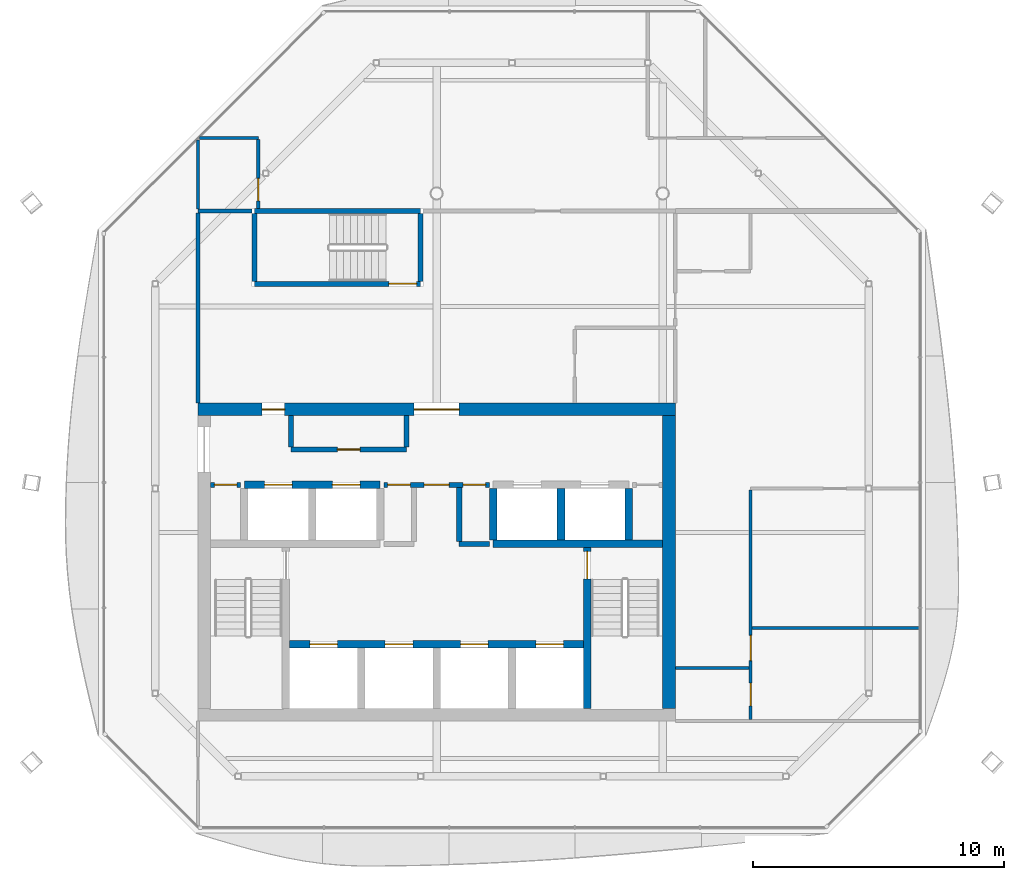
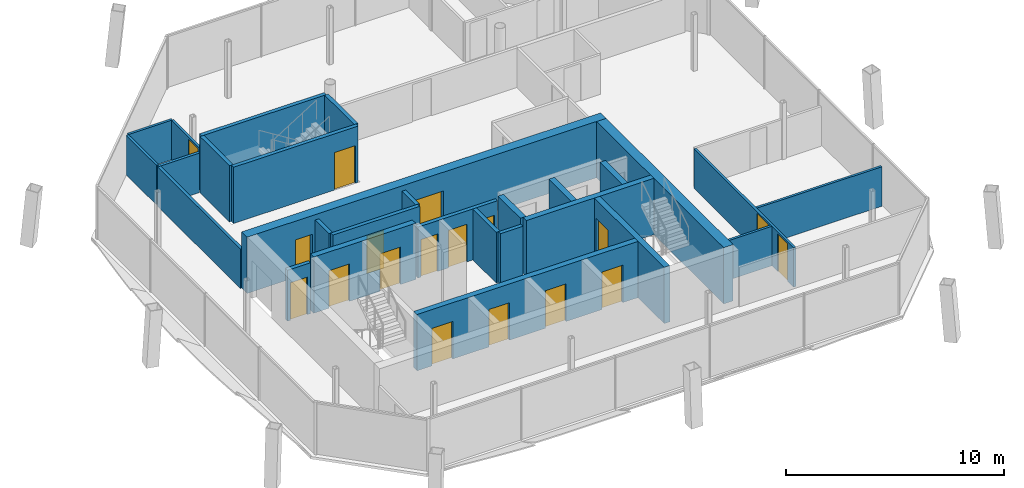
# One storey, part 10 of 14: 28 walls, 18 doors, 18 openings.
"""IFC4 building model written with IfcOpenShell, lengths in metres."""

from ifc_helpers import new_model, si_unit, direction, frame, frame_2d, origin, place, context, subcontext, project, spatial, rectangle, extrude, material, layer, layer_set, type_object, element, fill, save


model = new_model("IFC4")

# Units and contexts
model_context = context("Model", 3, precision=1e-05, world=origin(), true_north=direction((0.0, 1.0)))
body_context = subcontext(model_context, "Body", "Model", "MODEL_VIEW")
ifc_project = project(units=[si_unit("LENGTHUNIT", "METRE"), si_unit("AREAUNIT", "SQUARE_METRE"), si_unit("VOLUMEUNIT", "CUBIC_METRE"), si_unit("PLANEANGLEUNIT", "RADIAN"), si_unit("MASSUNIT", "GRAM", prefix="KILO")], contexts=[model_context])

# Site, building, storey
site_placement = place(None, origin())
site = spatial("IfcSite", under=ifc_project, at=site_placement, CompositionType="ELEMENT")
building_placement = place(site_placement, origin())
building = spatial("IfcBuilding", under=site, at=building_placement, Name="Tskaro Facet Tower", CompositionType="ELEMENT")
storey_placement = place(building_placement, frame((0.0, 0.0, 272.10009765625)))
storey = spatial("IfcBuildingStorey", under=building, at=storey_placement, Name="L72", CompositionType="ELEMENT", Elevation=272.10009765625)

# Wall, openings, doors
ifc_material_1 = material(Name="Concrete C60/75", Category="concrete")
ifc_layer_1 = layer(ifc_material_1, 0.300048828125, Name="Concrete C60/75")
ifc_layer_set_1 = layer_set([ifc_layer_1], Name="Concrete C60/75")
wall_type_1 = type_object("IfcWallType", Name="CORE-SHAFT", PredefinedType="SHEAR", material=ifc_layer_set_1)
wall_1_placement = place(storey_placement, frame((-5.85009765625, -8.949951171875, 0.0), z_axis=(0.0, 0.0, 1.0), x_axis=(1.0, 0.0, 0.0)))
wall_1 = element("IfcWall", 1, at=wall_1_placement, inside=storey, type_object=wall_type_1, Name="Shaft wall W003", PredefinedType="SHEAR", context=body_context, shape_type="SweptSolid", body=[
    extrude(rectangle(XDim=11.7001953125, YDim=0.300048828125, at=frame_2d((5.85009765625, 0.0))), origin(), (0.0, 0.0, 1.0), 3.14990234375),
])
opening_1_placement = place(wall_1_placement, frame((0.800048828125, 0.0, 0.0)))
opening_1 = element("IfcOpeningElement", 2, at=opening_1_placement, cuts=wall_1, Name="Opening LD-FF1", PredefinedType="OPENING", context=body_context, shape_type="SweptSolid", body=[
    extrude(rectangle(XDim=1.10009765625, YDim=2.10009765625, at=frame_2d((0.550048828125, 1.050048828125))), frame((0.0, 0.159912109375, 0.0), z_axis=(0.0, -1.0, 0.0), x_axis=(1.0, 0.0, 0.0)), (0.0, 0.0, 1.0), 0.320068359375),
])
opening_2_placement = place(wall_1_placement, frame((3.800048828125, 0.0, 0.0)))
opening_2 = element("IfcOpeningElement", 3, at=opening_2_placement, cuts=wall_1, Name="Opening LD-FF2", PredefinedType="OPENING", context=body_context, shape_type="SweptSolid", body=[
    extrude(rectangle(XDim=1.10009765625, YDim=2.10009765625, at=frame_2d((0.550048828125, 1.050048828125))), frame((0.0, 0.159912109375, 0.0), z_axis=(0.0, -1.0, 0.0), x_axis=(1.0, 0.0, 0.0)), (0.0, 0.0, 1.0), 0.320068359375),
])
opening_3_placement = place(wall_1_placement, frame((6.800048828125, 0.0, 0.0)))
opening_3 = element("IfcOpeningElement", 4, at=opening_3_placement, cuts=wall_1, Name="Opening LD-SV1", PredefinedType="OPENING", context=body_context, shape_type="SweptSolid", body=[
    extrude(rectangle(XDim=1.10009765625, YDim=2.10009765625, at=frame_2d((0.550048828125, 1.050048828125))), frame((0.0, 0.159912109375, 0.0), z_axis=(0.0, -1.0, 0.0), x_axis=(1.0, 0.0, 0.0)), (0.0, 0.0, 1.0), 0.320068359375),
])
opening_4_placement = place(wall_1_placement, frame((9.800048828125, 0.0, 0.0)))
opening_4 = element("IfcOpeningElement", 5, at=opening_4_placement, cuts=wall_1, Name="Opening LD-SV2", PredefinedType="OPENING", context=body_context, shape_type="SweptSolid", body=[
    extrude(rectangle(XDim=1.10009765625, YDim=2.10009765625, at=frame_2d((0.550048828125, 1.050048828125))), frame((0.0, 0.159912109375, 0.0), z_axis=(0.0, -1.0, 0.0), x_axis=(1.0, 0.0, 0.0)), (0.0, 0.0, 1.0), 0.320068359375),
])
ifc_material_2 = material(Name="Stainless steel", Category="steel")
door_type_1 = type_object("IfcDoorType", Name="D-LANDING", OperationType="NOTDEFINED", PredefinedType="DOOR", material=ifc_material_2)
door_1_placement = place(opening_1_placement, origin())
door_1 = element("IfcDoor", 6, at=door_1_placement, inside=storey, type_object=door_type_1, Name="Landing door FF1", OperationType="DOUBLE_DOOR_SLIDING", OverallHeight=2.10009765625, OverallWidth=1.10009765625, PredefinedType="DOOR", context=body_context, shape_type="SweptSolid", body=[
    extrude(rectangle(XDim=1.10009765625, YDim=2.10009765625, at=frame_2d((0.550048828125, 1.050048828125))), frame((0.0, 0.02490234375, 0.0), z_axis=(0.0, -1.0, 0.0), x_axis=(1.0, 0.0, 0.0)), (0.0, 0.0, 1.0), 0.050048828125),
])
fill(opening_1, door_1)
door_2_placement = place(opening_2_placement, origin())
door_2 = element("IfcDoor", 7, at=door_2_placement, inside=storey, type_object=door_type_1, Name="Landing door FF2", OperationType="DOUBLE_DOOR_SLIDING", OverallHeight=2.10009765625, OverallWidth=1.10009765625, PredefinedType="DOOR", context=body_context, shape_type="SweptSolid", body=[
    extrude(rectangle(XDim=1.10009765625, YDim=2.10009765625, at=frame_2d((0.550048828125, 1.050048828125))), frame((0.0, 0.02490234375, 0.0), z_axis=(0.0, -1.0, 0.0), x_axis=(1.0, 0.0, 0.0)), (0.0, 0.0, 1.0), 0.050048828125),
])
fill(opening_2, door_2)
door_3_placement = place(opening_3_placement, origin())
door_3 = element("IfcDoor", 8, at=door_3_placement, inside=storey, type_object=door_type_1, Name="Landing door SV1", OperationType="DOUBLE_DOOR_SLIDING", OverallHeight=2.10009765625, OverallWidth=1.10009765625, PredefinedType="DOOR", context=body_context, shape_type="SweptSolid", body=[
    extrude(rectangle(XDim=1.10009765625, YDim=2.10009765625, at=frame_2d((0.550048828125, 1.050048828125))), frame((0.0, 0.02490234375, 0.0), z_axis=(0.0, -1.0, 0.0), x_axis=(1.0, 0.0, 0.0)), (0.0, 0.0, 1.0), 0.050048828125),
])
fill(opening_3, door_3)
door_4_placement = place(opening_4_placement, origin())
door_4 = element("IfcDoor", 9, at=door_4_placement, inside=storey, type_object=door_type_1, Name="Landing door SV2", OperationType="DOUBLE_DOOR_SLIDING", OverallHeight=2.10009765625, OverallWidth=1.10009765625, PredefinedType="DOOR", context=body_context, shape_type="SweptSolid", body=[
    extrude(rectangle(XDim=1.10009765625, YDim=2.10009765625, at=frame_2d((0.550048828125, 1.050048828125))), frame((0.0, 0.02490234375, 0.0), z_axis=(0.0, -1.0, 0.0), x_axis=(1.0, 0.0, 0.0)), (0.0, 0.0, 1.0), 0.050048828125),
])
fill(opening_4, door_4)

# Wall
wall_2_placement = place(storey_placement, frame((2.25, -4.949951171875, 0.0), z_axis=(0.0, 0.0, 1.0), x_axis=(1.0, 0.0, 0.0)))
element("IfcWall", 10, at=wall_2_placement, inside=storey, type_object=wall_type_1, Name="Shaft wall W008", PredefinedType="SHEAR", context=body_context, shape_type="SweptSolid", body=[
    extrude(rectangle(XDim=6.75, YDim=0.300048828125, at=frame_2d((3.375, 0.0))), origin(), (0.0, 0.0, 1.0), 3.14990234375),
])

# Wall, openings, doors
wall_3_placement = place(storey_placement, frame((-7.64990234375, -2.60009765625, 0.0), z_axis=(0.0, 0.0, 1.0), x_axis=(1.0, 0.0, 0.0)))
wall_3 = element("IfcWall", 11, at=wall_3_placement, inside=storey, type_object=wall_type_1, Name="Shaft wall W012", PredefinedType="SHEAR", context=body_context, shape_type="SweptSolid", body=[
    extrude(rectangle(XDim=5.39990234375, YDim=0.300048828125, at=frame_2d((2.699951171875, 0.0))), origin(), (0.0, 0.0, 1.0), 3.14990234375),
])
opening_5_placement = place(wall_3_placement, frame((0.800048828125, 0.0, 0.0)))
opening_5 = element("IfcOpeningElement", 12, at=opening_5_placement, cuts=wall_3, Name="Opening LD-HB1", PredefinedType="OPENING", context=body_context, shape_type="SweptSolid", body=[
    extrude(rectangle(XDim=1.10009765625, YDim=2.10009765625, at=frame_2d((0.550048828125, 1.050048828125))), frame((0.0, 0.159912109375, 0.0), z_axis=(0.0, -1.0, 0.0), x_axis=(1.0, 0.0, 0.0)), (0.0, 0.0, 1.0), 0.320068359375),
])
opening_6_placement = place(wall_3_placement, frame((3.5, 0.0, 0.0)))
opening_6 = element("IfcOpeningElement", 13, at=opening_6_placement, cuts=wall_3, Name="Opening LD-HB2", PredefinedType="OPENING", context=body_context, shape_type="SweptSolid", body=[
    extrude(rectangle(XDim=1.10009765625, YDim=2.10009765625, at=frame_2d((0.550048828125, 1.050048828125))), frame((0.0, 0.159912109375, 0.0), z_axis=(0.0, -1.0, 0.0), x_axis=(1.0, 0.0, 0.0)), (0.0, 0.0, 1.0), 0.320068359375),
])
door_5_placement = place(opening_5_placement, origin())
door_5 = element("IfcDoor", 14, at=door_5_placement, inside=storey, type_object=door_type_1, Name="Landing door HB1", OperationType="DOUBLE_DOOR_SLIDING", OverallHeight=2.10009765625, OverallWidth=1.10009765625, PredefinedType="DOOR", context=body_context, shape_type="SweptSolid", body=[
    extrude(rectangle(XDim=1.10009765625, YDim=2.10009765625, at=frame_2d((0.550048828125, 1.050048828125))), frame((0.0, 0.02490234375, 0.0), z_axis=(0.0, -1.0, 0.0), x_axis=(1.0, 0.0, 0.0)), (0.0, 0.0, 1.0), 0.050048828125),
])
fill(opening_5, door_5)
door_6_placement = place(opening_6_placement, origin())
door_6 = element("IfcDoor", 15, at=door_6_placement, inside=storey, type_object=door_type_1, Name="Landing door HB2", OperationType="DOUBLE_DOOR_SLIDING", OverallHeight=2.10009765625, OverallWidth=1.10009765625, PredefinedType="DOOR", context=body_context, shape_type="SweptSolid", body=[
    extrude(rectangle(XDim=1.10009765625, YDim=2.10009765625, at=frame_2d((0.550048828125, 1.050048828125))), frame((0.0, 0.02490234375, 0.0), z_axis=(0.0, -1.0, 0.0), x_axis=(1.0, 0.0, 0.0)), (0.0, 0.0, 1.0), 0.050048828125),
])
fill(opening_6, door_6)

# Walls
for number, where, z_axis, x_axis, name in (
    (16, (2.25, -4.800048828125, 0.0), (0.0, 0.0, 1.0), (0.0, 1.0, 0.0), "Shaft wall W042"),
    (17, (4.949951171875, -4.800048828125, 0.0), (0.0, 0.0, 1.0), (0.0, 1.0, 0.0), "Shaft wall W044"),
):
    element("IfcWall", number, at=place(storey_placement, frame(where, z_axis=z_axis, x_axis=x_axis)), inside=storey, type_object=wall_type_1, Name=name, PredefinedType="SHEAR", context=body_context, shape_type="SweptSolid", body=[
        extrude(rectangle(XDim=2.050048828125, YDim=0.300048828125, at=frame_2d((1.02490234375, 0.0))), origin(), (0.0, 0.0, 1.0), 3.14990234375),
    ])

# Wall, opening, door
wall_4_placement = place(storey_placement, frame((6.0, -5.10009765625, 0.0), z_axis=(0.0, 0.0, 1.0), x_axis=(0.0, -1.0, 0.0)))
wall_4 = element("IfcWall", 18, at=wall_4_placement, inside=storey, type_object=wall_type_1, Name="Shaft wall W046", PredefinedType="SHEAR", context=body_context, shape_type="SweptSolid", body=[
    extrude(rectangle(XDim=6.39990234375, YDim=0.300048828125, at=frame_2d((3.199951171875, 0.0))), origin(), (0.0, 0.0, 1.0), 3.14990234375),
])
opening_7_placement = place(wall_4_placement, frame((0.14990234375, 0.0, 0.0)))
opening_7 = element("IfcOpeningElement", 19, at=opening_7_placement, cuts=wall_4, Name="Opening ST-2-D1", PredefinedType="OPENING", context=body_context, shape_type="SweptSolid", body=[
    extrude(rectangle(XDim=1.10009765625, YDim=2.10009765625, at=frame_2d((0.550048828125, 1.050048828125))), frame((0.0, 0.159912109375, 0.0), z_axis=(0.0, -1.0, 0.0), x_axis=(1.0, 0.0, 0.0)), (0.0, 0.0, 1.0), 0.320068359375),
])
ifc_material_3 = material(Name="Steel", Category="steel")
door_type_2 = type_object("IfcDoorType", Name="D-STAIR", OperationType="NOTDEFINED", PredefinedType="DOOR", material=ifc_material_3)
door_7_placement = place(opening_7_placement, origin())
door_7 = element("IfcDoor", 20, at=door_7_placement, inside=storey, type_object=door_type_2, Name="Stair door 2", OperationType="SINGLE_SWING_RIGHT", OverallHeight=2.10009765625, OverallWidth=1.10009765625, PredefinedType="DOOR", context=body_context, shape_type="SweptSolid", body=[
    extrude(rectangle(XDim=1.10009765625, YDim=2.10009765625, at=frame_2d((0.550048828125, 1.050048828125))), frame((0.0, 0.02490234375, 0.0), z_axis=(0.0, -1.0, 0.0), x_axis=(1.0, 0.0, 0.0)), (0.0, 0.0, 1.0), 0.050048828125),
])
fill(opening_7, door_7)

# Walls
wall_5_placement = place(storey_placement, frame((7.64990234375, -4.800048828125, 0.0), z_axis=(0.0, 0.0, 1.0), x_axis=(0.0, 1.0, 0.0)))
element("IfcWall", 21, at=wall_5_placement, inside=storey, type_object=wall_type_1, Name="Shaft wall W047", PredefinedType="SHEAR", context=body_context, shape_type="SweptSolid", body=[
    extrude(rectangle(XDim=2.050048828125, YDim=0.300048828125, at=frame_2d((1.02490234375, 0.0))), origin(), (0.0, 0.0, 1.0), 3.14990234375),
])
ifc_material_4 = material(Name="Concrete C20/25", Category="concrete")
ifc_layer_2 = layer(ifc_material_4, 0.199951171875, Name="Concrete C20/25")
ifc_layer_set_2 = layer_set([ifc_layer_2], Name="Concrete C20/25")
wall_type_2 = type_object("IfcWallType", Name="CORE-WALL", PredefinedType="SOLIDWALL", material=ifc_layer_set_2)
wall_6_placement = place(storey_placement, frame((0.89990234375, -4.949951171875, 0.0), z_axis=(0.0, 0.0, 1.0), x_axis=(1.0, 0.0, 0.0)))
element("IfcWall", 22, at=wall_6_placement, inside=storey, type_object=wall_type_2, Name="Core room wall W007", PredefinedType="SOLIDWALL", context=body_context, shape_type="SweptSolid", body=[
    extrude(rectangle(XDim=1.2001953125, YDim=0.199951171875, at=frame_2d((0.60009765625, 0.0))), origin(), (0.0, 0.0, 1.0), 2.849853515625),
])

# Wall, opening, door
wall_7_placement = place(storey_placement, frame((-7.800048828125, -2.60009765625, 0.0), z_axis=(0.0, 0.0, 1.0), x_axis=(-1.0, 0.0, 0.0)))
wall_7 = element("IfcWall", 23, at=wall_7_placement, inside=storey, type_object=wall_type_2, Name="Core room wall W011", PredefinedType="SOLIDWALL", context=body_context, shape_type="SweptSolid", body=[
    extrude(rectangle(XDim=1.199951171875, YDim=0.199951171875, at=frame_2d((0.60009765625, 0.0))), origin(), (0.0, 0.0, 1.0), 2.849853515625),
])
opening_8_placement = place(wall_7_placement, frame((0.14990234375, 0.0, 0.0)))
opening_8 = element("IfcOpeningElement", 24, at=opening_8_placement, cuts=wall_7, Name="Opening T21-D05", PredefinedType="OPENING", context=body_context, shape_type="SweptSolid", body=[
    extrude(rectangle(XDim=0.89990234375, YDim=2.10009765625, at=frame_2d((0.449951171875, 1.050048828125))), frame((0.0, 0.10986328125, 0.0), z_axis=(0.0, -1.0, 0.0), x_axis=(1.0, 0.0, 0.0)), (0.0, 0.0, 1.0), 0.219970703125),
])
ifc_material_5 = material(Name="Timber", Category="wood")
door_type_3 = type_object("IfcDoorType", Name="D-ROOM", OperationType="NOTDEFINED", PredefinedType="DOOR", material=ifc_material_5)
door_8_placement = place(opening_8_placement, origin())
door_8 = element("IfcDoor", 25, at=door_8_placement, inside=storey, type_object=door_type_3, Name="Door T21-D05", OperationType="SINGLE_SWING_RIGHT", OverallHeight=2.10009765625, OverallWidth=0.89990234375, PredefinedType="DOOR", context=body_context, shape_type="SweptSolid", body=[
    extrude(rectangle(XDim=0.89990234375, YDim=2.10009765625, at=frame_2d((0.449951171875, 1.050048828125))), frame((0.0, 0.02490234375, 0.0), z_axis=(0.0, -1.0, 0.0), x_axis=(1.0, 0.0, 0.0)), (0.0, 0.0, 1.0), 0.050048828125),
])
fill(opening_8, door_8)

# Wall, openings, doors
wall_8_placement = place(storey_placement, frame((2.10009765625, -2.60009765625, 0.0), z_axis=(0.0, 0.0, 1.0), x_axis=(-1.0, 0.0, 0.0)))
wall_8 = element("IfcWall", 26, at=wall_8_placement, inside=storey, type_object=wall_type_2, Name="Core room wall W013", PredefinedType="SOLIDWALL", context=body_context, shape_type="SweptSolid", body=[
    extrude(rectangle(XDim=4.2001953125, YDim=0.199951171875, at=frame_2d((2.10009765625, 0.0))), origin(), (0.0, 0.0, 1.0), 2.849853515625),
])
opening_9_placement = place(wall_8_placement, frame((1.60009765625, 0.0, 0.0)))
opening_9 = element("IfcOpeningElement", 27, at=opening_9_placement, cuts=wall_8, Name="Opening FL-D1", PredefinedType="OPENING", context=body_context, shape_type="SweptSolid", body=[
    extrude(rectangle(XDim=1.0, YDim=2.10009765625, at=frame_2d((0.5, 1.050048828125))), frame((0.0, 0.10986328125, 0.0), z_axis=(0.0, -1.0, 0.0), x_axis=(1.0, 0.0, 0.0)), (0.0, 0.0, 1.0), 0.219970703125),
])
opening_10_placement = place(wall_8_placement, frame((3.14990234375, 0.0, 0.0)))
opening_10 = element("IfcOpeningElement", 28, at=opening_10_placement, cuts=wall_8, Name="Opening T21-D06", PredefinedType="OPENING", context=body_context, shape_type="SweptSolid", body=[
    extrude(rectangle(XDim=0.89990234375, YDim=2.10009765625, at=frame_2d((0.449951171875, 1.050048828125))), frame((0.0, 0.10986328125, 0.0), z_axis=(0.0, -1.0, 0.0), x_axis=(1.0, 0.0, 0.0)), (0.0, 0.0, 1.0), 0.219970703125),
])
opening_11_placement = place(wall_8_placement, frame((0.14990234375, 0.0, 0.0)))
opening_11 = element("IfcOpeningElement", 29, at=opening_11_placement, cuts=wall_8, Name="Opening T21-D07", PredefinedType="OPENING", context=body_context, shape_type="SweptSolid", body=[
    extrude(rectangle(XDim=0.89990234375, YDim=2.10009765625, at=frame_2d((0.449951171875, 1.050048828125))), frame((0.0, 0.10986328125, 0.0), z_axis=(0.0, -1.0, 0.0), x_axis=(1.0, 0.0, 0.0)), (0.0, 0.0, 1.0), 0.219970703125),
])
door_type_4 = type_object("IfcDoorType", Name="D-LOBBY", OperationType="NOTDEFINED", PredefinedType="DOOR", material=ifc_material_3)
door_9_placement = place(opening_9_placement, origin())
door_9 = element("IfcDoor", 30, at=door_9_placement, inside=storey, type_object=door_type_4, Name="Lobby door FL", OperationType="SINGLE_SWING_RIGHT", OverallHeight=2.10009765625, OverallWidth=1.0, PredefinedType="DOOR", context=body_context, shape_type="SweptSolid", body=[
    extrude(rectangle(XDim=1.0, YDim=2.10009765625, at=frame_2d((0.5, 1.050048828125))), frame((0.0, 0.02490234375, 0.0), z_axis=(0.0, -1.0, 0.0), x_axis=(1.0, 0.0, 0.0)), (0.0, 0.0, 1.0), 0.050048828125),
])
fill(opening_9, door_9)
door_10_placement = place(opening_10_placement, origin())
door_10 = element("IfcDoor", 31, at=door_10_placement, inside=storey, type_object=door_type_3, Name="Door T21-D06", OperationType="SINGLE_SWING_RIGHT", OverallHeight=2.10009765625, OverallWidth=0.89990234375, PredefinedType="DOOR", context=body_context, shape_type="SweptSolid", body=[
    extrude(rectangle(XDim=0.89990234375, YDim=2.10009765625, at=frame_2d((0.449951171875, 1.050048828125))), frame((0.0, 0.02490234375, 0.0), z_axis=(0.0, -1.0, 0.0), x_axis=(1.0, 0.0, 0.0)), (0.0, 0.0, 1.0), 0.050048828125),
])
fill(opening_10, door_10)
door_11_placement = place(opening_11_placement, origin())
door_11 = element("IfcDoor", 32, at=door_11_placement, inside=storey, type_object=door_type_3, Name="Door T21-D07", OperationType="SINGLE_SWING_RIGHT", OverallHeight=2.10009765625, OverallWidth=0.89990234375, PredefinedType="DOOR", context=body_context, shape_type="SweptSolid", body=[
    extrude(rectangle(XDim=0.89990234375, YDim=2.10009765625, at=frame_2d((0.449951171875, 1.050048828125))), frame((0.0, 0.02490234375, 0.0), z_axis=(0.0, -1.0, 0.0), x_axis=(1.0, 0.0, 0.0)), (0.0, 0.0, 1.0), 0.050048828125),
])
fill(opening_11, door_11)

# Wall, opening, door
wall_9_placement = place(storey_placement, frame((-5.800048828125, -1.199951171875, 0.0), z_axis=(0.0, 0.0, 1.0), x_axis=(1.0, 0.0, 0.0)))
wall_9 = element("IfcWall", 33, at=wall_9_placement, inside=storey, type_object=wall_type_2, Name="Core room wall W016", PredefinedType="SOLIDWALL", context=body_context, shape_type="SweptSolid", body=[
    extrude(rectangle(XDim=4.60009765625, YDim=0.199951171875, at=frame_2d((2.300048828125, 0.0))), origin(), (0.0, 0.0, 1.0), 2.849853515625),
])
opening_12_placement = place(wall_9_placement, frame((1.85009765625, 0.0, 0.0)))
opening_12 = element("IfcOpeningElement", 34, at=opening_12_placement, cuts=wall_9, Name="Opening T21-D10", PredefinedType="OPENING", context=body_context, shape_type="SweptSolid", body=[
    extrude(rectangle(XDim=0.89990234375, YDim=2.10009765625, at=frame_2d((0.449951171875, 1.050048828125))), frame((0.0, 0.10986328125, 0.0), z_axis=(0.0, -1.0, 0.0), x_axis=(1.0, 0.0, 0.0)), (0.0, 0.0, 1.0), 0.219970703125),
])
door_12_placement = place(opening_12_placement, origin())
door_12 = element("IfcDoor", 35, at=door_12_placement, inside=storey, type_object=door_type_3, Name="Door T21-D10", OperationType="SINGLE_SWING_LEFT", OverallHeight=2.10009765625, OverallWidth=0.89990234375, PredefinedType="DOOR", context=body_context, shape_type="SweptSolid", body=[
    extrude(rectangle(XDim=0.89990234375, YDim=2.10009765625, at=frame_2d((0.449951171875, 1.050048828125))), frame((0.0, 0.02490234375, 0.0), z_axis=(0.0, -1.0, 0.0), x_axis=(1.0, 0.0, 0.0)), (0.0, 0.0, 1.0), 0.050048828125),
])
fill(opening_12, door_12)

# Walls
for number, where, z_axis, x_axis, name in (
    (36, (-5.800048828125, -1.10009765625, 0.0), (0.0, 0.0, 1.0), (0.0, 1.0, 0.0), "Core room wall W033"),
    (37, (-1.199951171875, -1.10009765625, 0.0), (0.0, 0.0, 1.0), (0.0, 1.0, 0.0), "Core room wall W037"),
):
    element("IfcWall", number, at=place(storey_placement, frame(where, z_axis=z_axis, x_axis=x_axis)), inside=storey, type_object=wall_type_2, Name=name, PredefinedType="SOLIDWALL", context=body_context, shape_type="SweptSolid", body=[
        extrude(rectangle(XDim=1.25, YDim=0.199951171875, at=frame_2d((0.625, 0.0))), origin(), (0.0, 0.0, 1.0), 2.849853515625),
    ])
wall_10_placement = place(storey_placement, frame((0.89990234375, -4.85009765625, 0.0), z_axis=(0.0, 0.0, 1.0), x_axis=(0.0, 1.0, 0.0)))
element("IfcWall", 38, at=wall_10_placement, inside=storey, type_object=wall_type_2, Name="Core room wall W041", PredefinedType="SOLIDWALL", context=body_context, shape_type="SweptSolid", body=[
    extrude(rectangle(XDim=2.150146484375, YDim=0.199951171875, at=frame_2d((1.0751953125, 0.0))), origin(), (0.0, 0.0, 1.0), 2.849853515625),
])

# Wall, openings, doors
ifc_material_6 = material(Name="Concrete C40/50", Category="concrete")
ifc_layer_3 = layer(ifc_material_6, 0.5, Name="Concrete C40/50")
ifc_layer_set_3 = layer_set([ifc_layer_3], Name="Concrete C40/50")
wall_type_3 = type_object("IfcWallType", Name="Core wall 500", PredefinedType="SHEAR", material=ifc_layer_set_3)
wall_11_placement = place(storey_placement, frame((-9.5, 0.39990234375, 0.0), z_axis=(0.0, 0.0, 1.0), x_axis=(1.0, 0.0, 0.0)))
wall_11 = element("IfcWall", 39, at=wall_11_placement, inside=storey, type_object=wall_type_3, Name="Core wall CW-Z3N", PredefinedType="SHEAR", context=body_context, shape_type="SweptSolid", body=[
    extrude(rectangle(XDim=19.0, YDim=0.5, at=frame_2d((9.5, 0.0))), origin(), (0.0, 0.0, 1.0), 3.14990234375),
])
opening_13_placement = place(wall_11_placement, frame((8.60009765625, 0.0, 0.0)))
opening_13 = element("IfcOpeningElement", 40, at=opening_13_placement, cuts=wall_11, Name="Opening T21-D12", PredefinedType="OPENING", context=body_context, shape_type="SweptSolid", body=[
    extrude(rectangle(XDim=1.800048828125, YDim=2.10009765625, at=frame_2d((0.89990234375, 1.050048828125))), frame((0.0, 0.260009765625, 0.0), z_axis=(0.0, -1.0, 0.0), x_axis=(1.0, 0.0, 0.0)), (0.0, 0.0, 1.0), 0.52001953125),
])
opening_14_placement = place(wall_11_placement, frame((2.550048828125, 0.0, 0.0)))
opening_14 = element("IfcOpeningElement", 41, at=opening_14_placement, cuts=wall_11, Name="Opening T21-D11", PredefinedType="OPENING", context=body_context, shape_type="SweptSolid", body=[
    extrude(rectangle(XDim=0.89990234375, YDim=2.10009765625, at=frame_2d((0.449951171875, 1.050048828125))), frame((0.0, 0.260009765625, 0.0), z_axis=(0.0, -1.0, 0.0), x_axis=(1.0, 0.0, 0.0)), (0.0, 0.0, 1.0), 0.52001953125),
])
door_type_5 = type_object("IfcDoorType", Name="D-CORE-PAIR", OperationType="NOTDEFINED", PredefinedType="DOOR", material=ifc_material_3)
door_13_placement = place(opening_13_placement, origin())
door_13 = element("IfcDoor", 42, at=door_13_placement, inside=storey, type_object=door_type_5, Name="Door T21-D12", OperationType="DOUBLE_DOOR_SINGLE_SWING", OverallHeight=2.10009765625, OverallWidth=1.800048828125, PredefinedType="DOOR", context=body_context, shape_type="SweptSolid", body=[
    extrude(rectangle(XDim=1.800048828125, YDim=2.10009765625, at=frame_2d((0.89990234375, 1.050048828125))), frame((0.0, 0.02490234375, 0.0), z_axis=(0.0, -1.0, 0.0), x_axis=(1.0, 0.0, 0.0)), (0.0, 0.0, 1.0), 0.050048828125),
])
fill(opening_13, door_13)
door_14_placement = place(opening_14_placement, origin())
door_14 = element("IfcDoor", 43, at=door_14_placement, inside=storey, type_object=door_type_3, Name="Door T21-D11", OperationType="SINGLE_SWING_LEFT", OverallHeight=2.10009765625, OverallWidth=0.89990234375, PredefinedType="DOOR", context=body_context, shape_type="SweptSolid", body=[
    extrude(rectangle(XDim=0.89990234375, YDim=2.10009765625, at=frame_2d((0.449951171875, 1.050048828125))), frame((0.0, 0.02490234375, 0.0), z_axis=(0.0, -1.0, 0.0), x_axis=(1.0, 0.0, 0.0)), (0.0, 0.0, 1.0), 0.050048828125),
])
fill(opening_14, door_14)

# Walls
wall_12_placement = place(storey_placement, frame((9.25, -11.5, 0.0), z_axis=(0.0, 0.0, 1.0), x_axis=(0.0, 1.0, 0.0)))
element("IfcWall", 44, at=wall_12_placement, inside=storey, type_object=wall_type_3, Name="Core wall CW-Z3E", PredefinedType="SHEAR", context=body_context, shape_type="SweptSolid", body=[
    extrude(rectangle(XDim=11.64990234375, YDim=0.5, at=frame_2d((5.824951171875, 0.0))), origin(), (0.0, 0.0, 1.0), 3.14990234375),
])
ifc_material_7 = material(Name="Gypsum board on steel studs", Category="steel")
ifc_layer_4 = layer(ifc_material_7, 0.125, Name="Gypsum board on steel studs")
ifc_layer_set_4 = layer_set([ifc_layer_4], Name="Gypsum board on steel studs")
wall_type_4 = type_object("IfcWallType", Name="PART", PredefinedType="PARTITIONING", material=ifc_layer_set_4)
wall_13_placement = place(storey_placement, frame((9.5, -9.89990234375, 0.0), z_axis=(0.0, 0.0, 1.0), x_axis=(1.0, 0.0, 0.0)))
element("IfcWall", 45, at=wall_13_placement, inside=storey, type_object=wall_type_4, Name="Partition W002", PredefinedType="PARTITIONING", context=body_context, shape_type="SweptSolid", body=[
    extrude(rectangle(XDim=2.9375, YDim=0.125, at=frame_2d((1.46875, 0.0))), origin(), (0.0, 0.0, 1.0), 2.2099609375),
])
wall_14_placement = place(storey_placement, frame((12.5625, -8.300048828125, 0.0), z_axis=(0.0, 0.0, 1.0), x_axis=(1.0, 0.0, 0.0)))
element("IfcWall", 46, at=wall_14_placement, inside=storey, type_object=wall_type_4, Name="Partition W004", PredefinedType="PARTITIONING", context=body_context, shape_type="SweptSolid", body=[
    extrude(rectangle(XDim=6.632568359375, YDim=0.125, at=frame_2d((3.31640625, 0.0))), origin(), (0.0, 0.0, 1.0), 2.2099609375),
])
wall_15_placement = place(storey_placement, frame((-9.43310546875, 11.199951171875, 0.0), z_axis=(0.0, 0.0, 1.0), x_axis=(1.0, 0.0, 0.0)))
element("IfcWall", 47, at=wall_15_placement, inside=storey, type_object=wall_type_4, Name="Partition W024", PredefinedType="PARTITIONING", context=body_context, shape_type="SweptSolid", body=[
    extrude(rectangle(XDim=2.3330078125, YDim=0.125, at=frame_2d((1.16650390625, 0.0))), origin(), (0.0, 0.0, 1.0), 2.2099609375),
])
wall_16_placement = place(storey_placement, frame((-9.5, 8.375, 0.0), z_axis=(0.0, 0.0, 1.0), x_axis=(0.0, 1.0, 0.0)))
element("IfcWall", 48, at=wall_16_placement, inside=storey, type_object=wall_type_4, Name="Partition W028", PredefinedType="PARTITIONING", context=body_context, shape_type="SweptSolid", body=[
    extrude(rectangle(XDim=2.758056640625, YDim=0.125, at=frame_2d((1.37890625, 0.0))), origin(), (0.0, 0.0, 1.0), 2.2099609375),
])

# Wall, opening, door
wall_17_placement = place(storey_placement, frame((-7.10009765625, 8.39990234375, 0.0), z_axis=(0.0, 0.0, 1.0), x_axis=(0.0, 1.0, 0.0)))
wall_17 = element("IfcWall", 49, at=wall_17_placement, inside=storey, type_object=wall_type_4, Name="Partition W031", PredefinedType="PARTITIONING", context=body_context, shape_type="SweptSolid", body=[
    extrude(rectangle(XDim=2.737548828125, YDim=0.125, at=frame_2d((1.36865234375, 0.0))), origin(), (0.0, 0.0, 1.0), 2.2099609375),
])
opening_15_placement = place(wall_17_placement, frame((0.300048828125, 0.0, 0.0)))
opening_15 = element("IfcOpeningElement", 50, at=opening_15_placement, cuts=wall_17, Name="Opening T21-D17", PredefinedType="OPENING", context=body_context, shape_type="SweptSolid", body=[
    extrude(rectangle(XDim=0.89990234375, YDim=2.10009765625, at=frame_2d((0.449951171875, 1.050048828125))), frame((0.0, 0.072509765625, 0.0), z_axis=(0.0, -1.0, 0.0), x_axis=(1.0, 0.0, 0.0)), (0.0, 0.0, 1.0), 0.14501953125),
])
door_15_placement = place(opening_15_placement, origin())
door_15 = element("IfcDoor", 51, at=door_15_placement, inside=storey, type_object=door_type_3, Name="Door T21-D17", OperationType="SINGLE_SWING_LEFT", OverallHeight=2.10009765625, OverallWidth=0.89990234375, PredefinedType="DOOR", context=body_context, shape_type="SweptSolid", body=[
    extrude(rectangle(XDim=0.89990234375, YDim=2.10009765625, at=frame_2d((0.449951171875, 1.050048828125))), frame((0.0, 0.02490234375, 0.0), z_axis=(0.0, -1.0, 0.0), x_axis=(1.0, 0.0, 0.0)), (0.0, 0.0, 1.0), 0.050048828125),
])
fill(opening_15, door_15)

# Wall, openings, doors
wall_18_placement = place(storey_placement, frame((12.5, -2.8125, 0.0), z_axis=(0.0, 0.0, 1.0), x_axis=(0.0, -1.0, 0.0)))
wall_18 = element("IfcWall", 52, at=wall_18_placement, inside=storey, type_object=wall_type_4, Name="Partition W053", PredefinedType="PARTITIONING", context=body_context, shape_type="SweptSolid", body=[
    extrude(rectangle(XDim=9.125, YDim=0.125, at=frame_2d((4.5625, 0.0))), origin(), (0.0, 0.0, 1.0), 2.2099609375),
])
opening_16_placement = place(wall_18_placement, frame((5.78759765625, 0.0, 0.0)))
opening_16 = element("IfcOpeningElement", 53, at=opening_16_placement, cuts=wall_18, Name="Opening T21-D03", PredefinedType="OPENING", context=body_context, shape_type="SweptSolid", body=[
    extrude(rectangle(XDim=1.0, YDim=2.10009765625, at=frame_2d((0.5, 1.050048828125))), frame((0.0, 0.072509765625, 0.0), z_axis=(0.0, -1.0, 0.0), x_axis=(1.0, 0.0, 0.0)), (0.0, 0.0, 1.0), 0.14501953125),
])
opening_17_placement = place(wall_18_placement, frame((7.6875, 0.0, 0.0)))
opening_17 = element("IfcOpeningElement", 54, at=opening_17_placement, cuts=wall_18, Name="Opening T21-D02", PredefinedType="OPENING", context=body_context, shape_type="SweptSolid", body=[
    extrude(rectangle(XDim=0.89990234375, YDim=2.10009765625, at=frame_2d((0.449951171875, 1.050048828125))), frame((0.0, 0.072509765625, 0.0), z_axis=(0.0, -1.0, 0.0), x_axis=(1.0, 0.0, 0.0)), (0.0, 0.0, 1.0), 0.14501953125),
])
door_16_placement = place(opening_17_placement, origin())
door_16 = element("IfcDoor", 55, at=door_16_placement, inside=storey, type_object=door_type_3, Name="Door T21-D02", OperationType="SINGLE_SWING_LEFT", OverallHeight=2.10009765625, OverallWidth=0.89990234375, PredefinedType="DOOR", context=body_context, shape_type="SweptSolid", body=[
    extrude(rectangle(XDim=0.89990234375, YDim=2.10009765625, at=frame_2d((0.449951171875, 1.050048828125))), frame((0.0, 0.02490234375, 0.0), z_axis=(0.0, -1.0, 0.0), x_axis=(1.0, 0.0, 0.0)), (0.0, 0.0, 1.0), 0.050048828125),
])
fill(opening_17, door_16)
door_type_6 = type_object("IfcDoorType", Name="D-ROOM-WIDE", OperationType="NOTDEFINED", PredefinedType="DOOR", material=ifc_material_5)
door_17_placement = place(opening_16_placement, origin())
door_17 = element("IfcDoor", 56, at=door_17_placement, inside=storey, type_object=door_type_6, Name="Door T21-D03", OperationType="SINGLE_SWING_RIGHT", OverallHeight=2.10009765625, OverallWidth=1.0, PredefinedType="DOOR", context=body_context, shape_type="SweptSolid", body=[
    extrude(rectangle(XDim=1.0, YDim=2.10009765625, at=frame_2d((0.5, 1.050048828125))), frame((0.0, 0.02490234375, 0.0), z_axis=(0.0, -1.0, 0.0), x_axis=(1.0, 0.0, 0.0)), (0.0, 0.0, 1.0), 0.050048828125),
])
fill(opening_16, door_17)

# Walls
ifc_layer_5 = layer(ifc_material_7, 0.14990234375, Name="Gypsum board on steel studs")
ifc_layer_set_5 = layer_set([ifc_layer_5], Name="Gypsum board on steel studs")
wall_type_5 = type_object("IfcWallType", Name="PART-CORR", PredefinedType="PARTITIONING", material=ifc_layer_set_5)
wall_19_placement = place(storey_placement, frame((-9.5, 8.300048828125, 0.0), z_axis=(0.0, 0.0, 1.0), x_axis=(1.0, 0.0, 0.0)))
element("IfcWall", 57, at=wall_19_placement, inside=storey, type_object=wall_type_5, Name="Corridor wall W020", PredefinedType="PARTITIONING", context=body_context, shape_type="SweptSolid", body=[
    extrude(rectangle(XDim=2.14990234375, YDim=0.14990234375, at=frame_2d((1.074951171875, 0.0))), origin(), (0.0, 0.0, 1.0), 2.2099609375),
])
wall_20_placement = place(storey_placement, frame((-9.5, 0.64990234375, 0.0), z_axis=(0.0, 0.0, 1.0), x_axis=(0.0, 1.0, 0.0)))
element("IfcWall", 58, at=wall_20_placement, inside=storey, type_object=wall_type_5, Name="Corridor wall W027", PredefinedType="PARTITIONING", context=body_context, shape_type="SweptSolid", body=[
    extrude(rectangle(XDim=7.5751953125, YDim=0.14990234375, at=frame_2d((3.78759765625, 0.0))), origin(), (0.0, 0.0, 1.0), 2.2099609375),
])

# Wall, opening, door
ifc_layer_6 = layer(ifc_material_1, 0.199951171875, Name="Concrete C60/75")
ifc_layer_set_6 = layer_set([ifc_layer_6], Name="Concrete C60/75")
wall_type_6 = type_object("IfcWallType", Name="STAIR-WALL", PredefinedType="SHEAR", material=ifc_layer_set_6)
wall_21_placement = place(storey_placement, frame((-7.25, 5.39990234375, 0.0), z_axis=(0.0, 0.0, 1.0), x_axis=(1.0, 0.0, 0.0)))
wall_21 = element("IfcWall", 59, at=wall_21_placement, inside=storey, type_object=wall_type_6, Name="Stair wall W018", PredefinedType="SHEAR", context=body_context, shape_type="SweptSolid", body=[
    extrude(rectangle(XDim=6.60009765625, YDim=0.199951171875, at=frame_2d((3.300048828125, 0.0))), origin(), (0.0, 0.0, 1.0), 3.14990234375),
])
opening_18_placement = place(wall_21_placement, frame((5.35009765625, 0.0, 0.0)))
opening_18 = element("IfcOpeningElement", 60, at=opening_18_placement, cuts=wall_21, Name="Opening ST-3-D1", PredefinedType="OPENING", context=body_context, shape_type="SweptSolid", body=[
    extrude(rectangle(XDim=1.10009765625, YDim=2.10009765625, at=frame_2d((0.550048828125, 1.050048828125))), frame((0.0, 0.10986328125, 0.0), z_axis=(0.0, -1.0, 0.0), x_axis=(1.0, 0.0, 0.0)), (0.0, 0.0, 1.0), 0.219970703125),
])
door_18_placement = place(opening_18_placement, origin())
door_18 = element("IfcDoor", 61, at=door_18_placement, inside=storey, type_object=door_type_2, Name="Stair door 3", OperationType="SINGLE_SWING_LEFT", OverallHeight=2.10009765625, OverallWidth=1.10009765625, PredefinedType="DOOR", context=body_context, shape_type="SweptSolid", body=[
    extrude(rectangle(XDim=1.10009765625, YDim=2.10009765625, at=frame_2d((0.550048828125, 1.050048828125))), frame((0.0, 0.02490234375, 0.0), z_axis=(0.0, -1.0, 0.0), x_axis=(1.0, 0.0, 0.0)), (0.0, 0.0, 1.0), 0.050048828125),
])
fill(opening_18, door_18)

# Walls
wall_22_placement = place(storey_placement, frame((-7.25, 8.300048828125, 0.0), z_axis=(0.0, 0.0, 1.0), x_axis=(1.0, 0.0, 0.0)))
element("IfcWall", 62, at=wall_22_placement, inside=storey, type_object=wall_type_6, Name="Stair wall W021", PredefinedType="SHEAR", context=body_context, shape_type="SweptSolid", body=[
    extrude(rectangle(XDim=6.60009765625, YDim=0.199951171875, at=frame_2d((3.300048828125, 0.0))), origin(), (0.0, 0.0, 1.0), 3.14990234375),
])
for number, where, z_axis, x_axis, name in (
    (63, (-7.25, 5.5, 0.0), (0.0, 0.0, 1.0), (0.0, 1.0, 0.0), "Stair wall W030"),
    (64, (-0.64990234375, 5.5, 0.0), (0.0, 0.0, 1.0), (0.0, 1.0, 0.0), "Stair wall W039"),
):
    element("IfcWall", number, at=place(storey_placement, frame(where, z_axis=z_axis, x_axis=x_axis)), inside=storey, type_object=wall_type_6, Name=name, PredefinedType="SHEAR", context=body_context, shape_type="SweptSolid", body=[
        extrude(rectangle(XDim=2.699951171875, YDim=0.199951171875, at=frame_2d((1.35009765625, 0.0))), origin(), (0.0, 0.0, 1.0), 3.14990234375),
    ])

save(model, "model.ifc")
